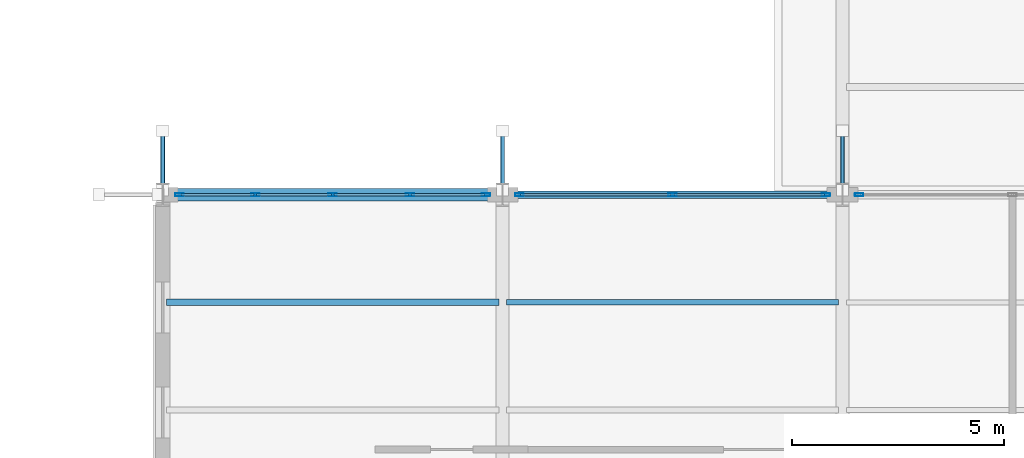
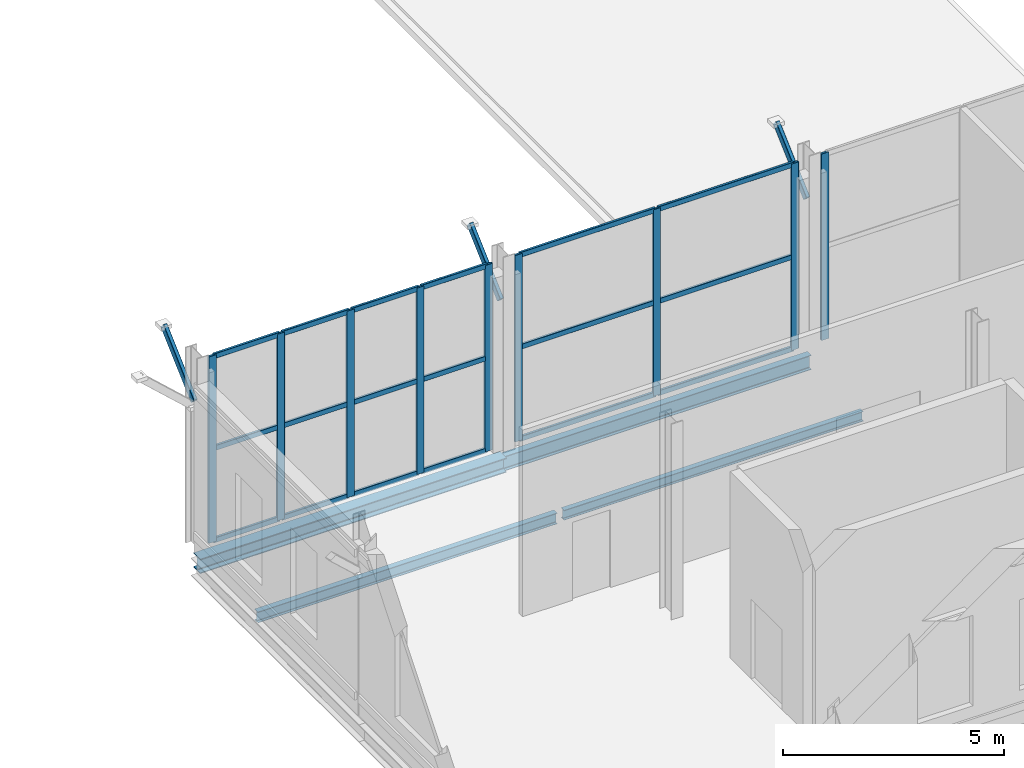
# One storey, part 28 of 147: 30 members, 4 beams, 3 elements without a shape of their own.
"""IFC4 building model written with IfcOpenShell, lengths in metres."""

from ifc_helpers import new_model, si_unit, direction, frame, origin, origin_2d, place, context, subcontext, project, spatial, hollow_rectangle, i_section, extrude, material, layer, layer_set, material_profile, profile_set, type_object, element, aggregate, save


model = new_model("IFC4")

# Units and contexts
model_context = context("Model", 3, precision=1e-05, world=origin(), true_north=direction((0.0, 1.0)))
body_context = subcontext(model_context, "Body", "Model", "MODEL_VIEW")
ifc_project = project(units=[si_unit("LENGTHUNIT", "METRE"), si_unit("AREAUNIT", "SQUARE_METRE"), si_unit("VOLUMEUNIT", "CUBIC_METRE"), si_unit("PLANEANGLEUNIT", "RADIAN"), si_unit("MASSUNIT", "GRAM", prefix="KILO")], contexts=[model_context])

# Site, building, storey
site_placement = place(None, origin())
site = spatial("IfcSite", under=ifc_project, at=site_placement, CompositionType="ELEMENT")
building_placement = place(site_placement, origin())
building = spatial("IfcBuilding", under=site, at=building_placement, Name="Vekula Escarpment Museum", CompositionType="ELEMENT")
storey_placement = place(building_placement, frame((0.0, 0.0, 7.800048828125)))
storey = spatial("IfcBuildingStorey", under=building, at=storey_placement, Name="L02", CompositionType="ELEMENT", Elevation=7.800048828125)

# Beams
ifc_material_1 = material(Name="Steel S355", Category="steel")
ifc_material_profile_1 = material_profile(ifc_material_1, i_section(OverallWidth=0.300048828125, OverallDepth=0.39990234375, WebThickness=0.013427734375, FlangeThickness=0.02392578125, FilletRadius=0.027099609375, at=origin_2d()), Name="HEB 400")
ifc_profile_set_1 = profile_set([ifc_material_profile_1], Name="Steel S355")
beam_type_1 = type_object("IfcBeamType", Name="BM-GIRD-HEB400", PredefinedType="BEAM", material=ifc_profile_set_1)
beam_1_placement = place(storey_placement, frame((78.0, 15.199951171875, -0.4599609375), z_axis=(1.0, 0.0, 0.0), x_axis=(0.0, 1.0, 0.0)))
element("IfcBeam", 1, at=beam_1_placement, inside=storey, type_object=beam_type_1, Name="Beam X L02 0817", PredefinedType="BEAM", context=body_context, shape_type="SweptSolid", body=[
    extrude(i_section(OverallWidth=0.300048828125, OverallDepth=0.39990234375, WebThickness=0.013427734375, FlangeThickness=0.02392578125, FilletRadius=0.027099609375, at=origin_2d()), origin(), (0.0, 0.0, 1.0), 8.0),
])
ifc_material_2 = material(Name="Steel S355", Category="steel")
ifc_material_profile_2 = material_profile(ifc_material_2, i_section(OverallWidth=0.179931640625, OverallDepth=0.39990234375, WebThickness=0.008544921875, FlangeThickness=0.013427734375, FilletRadius=0.02099609375, at=origin_2d()), Name="IPE 400")
ifc_profile_set_2 = profile_set([ifc_material_profile_2], Name="Steel S355")
beam_type_2 = type_object("IfcBeamType", Name="BM-GIRD-IPE400", PredefinedType="BEAM", material=ifc_profile_set_2)
beam_2_placement = place(storey_placement, frame((86.0, 15.199951171875, -0.4599609375), z_axis=(1.0, 0.0, 0.0), x_axis=(0.0, 1.0, 0.0)))
element("IfcBeam", 2, at=beam_2_placement, inside=storey, type_object=beam_type_2, Name="Beam X L02 0818", PredefinedType="BEAM", context=body_context, shape_type="SweptSolid", body=[
    extrude(i_section(OverallWidth=0.179931640625, OverallDepth=0.39990234375, WebThickness=0.008544921875, FlangeThickness=0.013427734375, FilletRadius=0.02099609375, at=origin_2d()), origin(), (0.0, 0.0, 1.0), 8.0),
])
ifc_material_3 = material(Name="Steel S355", Category="steel")
ifc_material_profile_3 = material_profile(ifc_material_3, i_section(OverallWidth=0.135009765625, OverallDepth=0.27001953125, WebThickness=0.006591796875, FlangeThickness=0.01025390625, FilletRadius=0.014892578125, at=origin_2d()), Name="IPE 270")
ifc_profile_set_3 = profile_set([ifc_material_profile_3], Name="Steel S355")
beam_type_3 = type_object("IfcBeamType", Name="BM-JST-IPE270", PredefinedType="JOIST", material=ifc_profile_set_3)
beam_3_placement = place(storey_placement, frame((86.090087890625, 12.666748046875, -0.39501953125), z_axis=(1.0, 0.0, 0.0), x_axis=(0.0, 1.0, 0.0)))
element("IfcBeam", 3, at=beam_3_placement, inside=storey, type_object=beam_type_3, Name="Secondary Joist L02 0756", PredefinedType="JOIST", context=body_context, shape_type="SweptSolid", body=[
    extrude(i_section(OverallWidth=0.135009765625, OverallDepth=0.27001953125, WebThickness=0.006591796875, FlangeThickness=0.01025390625, FilletRadius=0.014892578125, at=origin_2d()), origin(), (0.0, 0.0, 1.0), 7.81982421875),
])
ifc_material_4 = material(Name="Steel S355", Category="steel")
ifc_material_profile_4 = material_profile(ifc_material_4, i_section(OverallWidth=0.14990234375, OverallDepth=0.300048828125, WebThickness=0.007080078125, FlangeThickness=0.0107421875, FilletRadius=0.014892578125, at=origin_2d()), Name="IPE 300")
ifc_profile_set_4 = profile_set([ifc_material_profile_4], Name="Steel S355")
beam_type_4 = type_object("IfcBeamType", Name="BM-JST-IPE300", PredefinedType="JOIST", material=ifc_profile_set_4)
beam_4_placement = place(storey_placement, frame((78.090087890625, 12.666748046875, -0.41015625), z_axis=(1.0, 0.0, 0.0), x_axis=(0.0, 1.0, 0.0)))
element("IfcBeam", 4, at=beam_4_placement, inside=storey, type_object=beam_type_4, Name="Secondary Joist L02 0742", PredefinedType="JOIST", context=body_context, shape_type="SweptSolid", body=[
    extrude(i_section(OverallWidth=0.14990234375, OverallDepth=0.300048828125, WebThickness=0.007080078125, FlangeThickness=0.0107421875, FilletRadius=0.014892578125, at=origin_2d()), origin(), (0.0, 0.0, 1.0), 7.81982421875),
])

# Curtain wall, member
ifc_material_5 = material(Name="Aluminium thermally broken framing", Category="aluminium")
ifc_layer_1 = layer(ifc_material_5, 0.179931640625)
ifc_layer_set_1 = layer_set([ifc_layer_1], Name="Aluminium thermally broken framing")
curtain_wall_type_1 = type_object("IfcCurtainWallType", Name="CW-SYS-07", PredefinedType="NOTDEFINED", material=ifc_layer_set_1)
curtain_wall_1_placement = place(storey_placement, origin())
curtain_wall_1 = element("IfcCurtainWall", 5, at=curtain_wall_1_placement, inside=storey, type_object=curtain_wall_type_1, Name="Curtain Wall CW-L02-097", PredefinedType="NOTDEFINED")
ifc_material_6 = material(Name="Aluminium anodized mullion", Category="aluminium")
ifc_material_profile_5 = material_profile(ifc_material_6, hollow_rectangle(XDim=0.06494140625, YDim=0.199951171875, WallThickness=0.00390625, InnerFilletRadius=0.00390625, OuterFilletRadius=0.008056640625, at=origin_2d()), Name="ALU 200x65x4")
ifc_profile_set_5 = profile_set([ifc_material_profile_5], Name="Aluminium anodized mullion")
member_type_1 = type_object("IfcMemberType", Name="CW-MUL-200", PredefinedType="MULLION", material=ifc_profile_set_5)
member_1_placement = place(storey_placement, frame((94.392578125, 15.199951171875, 0.0), z_axis=(0.0, 0.0, 1.0), x_axis=(0.0, -1.0, 0.0)))
member_1 = element("IfcMember", 6, at=member_1_placement, type_object=member_type_1, Name="CW-07 mullion 3", PredefinedType="MULLION", context=body_context, shape_type="SweptSolid", body=[
    extrude(hollow_rectangle(XDim=0.06494140625, YDim=0.199951171875, WallThickness=0.00390625, InnerFilletRadius=0.00390625, OuterFilletRadius=0.008056640625, at=origin_2d()), origin(), (0.0, 0.0, 1.0), 5.14990234375),
])
aggregate(curtain_wall_1, [member_1])

# Curtain wall, members
ifc_material_7 = material(Name="Aluminium thermally broken framing", Category="aluminium")
ifc_layer_2 = layer(ifc_material_7, 0.179931640625)
ifc_layer_set_2 = layer_set([ifc_layer_2], Name="Aluminium thermally broken framing")
curtain_wall_type_2 = type_object("IfcCurtainWallType", Name="CW-SYS-08", PredefinedType="NOTDEFINED", material=ifc_layer_set_2)
curtain_wall_2_placement = place(storey_placement, origin())
curtain_wall_2 = element("IfcCurtainWall", 7, at=curtain_wall_2_placement, inside=storey, type_object=curtain_wall_type_2, Name="Curtain Wall CW-L02-098", PredefinedType="NOTDEFINED")
member_2_placement = place(storey_placement, frame((93.607421875, 15.199951171875, 0.0), z_axis=(0.0, 0.0, 1.0), x_axis=(0.0, -1.0, 0.0)))
member_2 = element("IfcMember", 8, at=member_2_placement, type_object=member_type_1, Name="CW-08 mullion 1", PredefinedType="MULLION", context=body_context, shape_type="SweptSolid", body=[
    extrude(hollow_rectangle(XDim=0.06494140625, YDim=0.199951171875, WallThickness=0.00390625, InnerFilletRadius=0.00390625, OuterFilletRadius=0.008056640625, at=origin_2d()), origin(), (0.0, 0.0, 1.0), 5.14990234375),
])
member_3_placement = place(storey_placement, frame((90.0, 15.199951171875, 0.0), z_axis=(0.0, 0.0, 1.0), x_axis=(0.0, -1.0, 0.0)))
member_3 = element("IfcMember", 9, at=member_3_placement, type_object=member_type_1, Name="CW-08 mullion 2", PredefinedType="MULLION", context=body_context, shape_type="SweptSolid", body=[
    extrude(hollow_rectangle(XDim=0.06494140625, YDim=0.199951171875, WallThickness=0.00390625, InnerFilletRadius=0.00390625, OuterFilletRadius=0.008056640625, at=origin_2d()), origin(), (0.0, 0.0, 1.0), 5.14990234375),
])
member_4_placement = place(storey_placement, frame((86.392578125, 15.199951171875, 0.0), z_axis=(0.0, 0.0, 1.0), x_axis=(0.0, -1.0, 0.0)))
member_4 = element("IfcMember", 10, at=member_4_placement, type_object=member_type_1, Name="CW-08 mullion 3", PredefinedType="MULLION", context=body_context, shape_type="SweptSolid", body=[
    extrude(hollow_rectangle(XDim=0.06494140625, YDim=0.199951171875, WallThickness=0.00390625, InnerFilletRadius=0.00390625, OuterFilletRadius=0.008056640625, at=origin_2d()), origin(), (0.0, 0.0, 1.0), 5.14990234375),
])

ifc_material_8 = material(Name="Aluminium thermally broken framing", Category="aluminium")
ifc_layer_3 = layer(ifc_material_8, 0.14990234375)
ifc_layer_set_3 = layer_set([ifc_layer_3], Name="Aluminium thermally broken framing")
curtain_wall_type_3 = type_object("IfcCurtainWallType", Name="CW-SYS-09", PredefinedType="NOTDEFINED", material=ifc_layer_set_3)
curtain_wall_3_placement = place(storey_placement, origin())
curtain_wall_3 = element("IfcCurtainWall", 11, at=curtain_wall_3_placement, inside=storey, type_object=curtain_wall_type_3, Name="Curtain Wall CW-L02-099", PredefinedType="NOTDEFINED")
member_5_placement = place(storey_placement, frame((85.607421875, 15.199951171875, 0.0), z_axis=(0.0, 0.0, 1.0), x_axis=(0.0, -1.0, 0.0)))
member_5 = element("IfcMember", 12, at=member_5_placement, type_object=member_type_1, Name="CW-09 mullion 1", PredefinedType="MULLION", context=body_context, shape_type="SweptSolid", body=[
    extrude(hollow_rectangle(XDim=0.06494140625, YDim=0.199951171875, WallThickness=0.00390625, InnerFilletRadius=0.00390625, OuterFilletRadius=0.008056640625, at=origin_2d()), origin(), (0.0, 0.0, 1.0), 5.14990234375),
])
member_6_placement = place(storey_placement, frame((83.820068359375, 15.199951171875, 0.0), z_axis=(0.0, 0.0, 1.0), x_axis=(0.0, -1.0, 0.0)))
member_6 = element("IfcMember", 13, at=member_6_placement, type_object=member_type_1, Name="CW-09 mullion 2", PredefinedType="MULLION", context=body_context, shape_type="SweptSolid", body=[
    extrude(hollow_rectangle(XDim=0.06494140625, YDim=0.199951171875, WallThickness=0.00390625, InnerFilletRadius=0.00390625, OuterFilletRadius=0.008056640625, at=origin_2d()), origin(), (0.0, 0.0, 1.0), 5.14990234375),
])
member_7_placement = place(storey_placement, frame((82.0, 15.199951171875, 0.0), z_axis=(0.0, 0.0, 1.0), x_axis=(0.0, -1.0, 0.0)))
member_7 = element("IfcMember", 14, at=member_7_placement, type_object=member_type_1, Name="CW-09 mullion 3", PredefinedType="MULLION", context=body_context, shape_type="SweptSolid", body=[
    extrude(hollow_rectangle(XDim=0.06494140625, YDim=0.199951171875, WallThickness=0.00390625, InnerFilletRadius=0.00390625, OuterFilletRadius=0.008056640625, at=origin_2d()), origin(), (0.0, 0.0, 1.0), 5.14990234375),
])
member_8_placement = place(storey_placement, frame((80.179931640625, 15.199951171875, 0.0), z_axis=(0.0, 0.0, 1.0), x_axis=(0.0, -1.0, 0.0)))
member_8 = element("IfcMember", 15, at=member_8_placement, type_object=member_type_1, Name="CW-09 mullion 4", PredefinedType="MULLION", context=body_context, shape_type="SweptSolid", body=[
    extrude(hollow_rectangle(XDim=0.06494140625, YDim=0.199951171875, WallThickness=0.00390625, InnerFilletRadius=0.00390625, OuterFilletRadius=0.008056640625, at=origin_2d()), origin(), (0.0, 0.0, 1.0), 5.14990234375),
])
member_9_placement = place(storey_placement, frame((78.392578125, 15.199951171875, 0.0), z_axis=(0.0, 0.0, 1.0), x_axis=(0.0, -1.0, 0.0)))
member_9 = element("IfcMember", 16, at=member_9_placement, type_object=member_type_1, Name="CW-09 mullion 5", PredefinedType="MULLION", context=body_context, shape_type="SweptSolid", body=[
    extrude(hollow_rectangle(XDim=0.06494140625, YDim=0.199951171875, WallThickness=0.00390625, InnerFilletRadius=0.00390625, OuterFilletRadius=0.008056640625, at=origin_2d()), origin(), (0.0, 0.0, 1.0), 5.14990234375),
])

# Member
ifc_material_9 = material(Name="Aluminium anodized transom", Category="aluminium")
ifc_material_profile_6 = material_profile(ifc_material_9, hollow_rectangle(XDim=0.06494140625, YDim=0.139892578125, WallThickness=0.00390625, InnerFilletRadius=0.00390625, OuterFilletRadius=0.008056640625, at=origin_2d()), Name="ALU 140x65x4")
ifc_profile_set_6 = profile_set([ifc_material_profile_6], Name="Aluminium anodized transom")
member_type_2 = type_object("IfcMemberType", Name="CW-TRN-140", PredefinedType="USERDEFINED", material=ifc_profile_set_6)
member_10_placement = place(storey_placement, frame((93.574951171875, 15.199951171875, 0.032470703125), z_axis=(-1.0, 0.0, 0.0), x_axis=(0.0, -1.0, 0.0)))
member_10 = element("IfcMember", 17, at=member_10_placement, type_object=member_type_2, Name="CW-08 transom 1.1", ObjectType="TRANSOM", PredefinedType="USERDEFINED", context=body_context, shape_type="SweptSolid", body=[
    extrude(hollow_rectangle(XDim=0.06494140625, YDim=0.139892578125, WallThickness=0.00390625, InnerFilletRadius=0.00390625, OuterFilletRadius=0.008056640625, at=origin_2d()), origin(), (0.0, 0.0, 1.0), 3.54248046875),
])

member_11_placement = place(storey_placement, frame((93.574951171875, 15.199951171875, 2.574951171875), z_axis=(-1.0, 0.0, 0.0), x_axis=(0.0, -1.0, 0.0)))
member_11 = element("IfcMember", 18, at=member_11_placement, type_object=member_type_2, Name="CW-08 transom 1.2", ObjectType="TRANSOM", PredefinedType="USERDEFINED", context=body_context, shape_type="SweptSolid", body=[
    extrude(hollow_rectangle(XDim=0.06494140625, YDim=0.139892578125, WallThickness=0.00390625, InnerFilletRadius=0.00390625, OuterFilletRadius=0.008056640625, at=origin_2d()), origin(), (0.0, 0.0, 1.0), 3.54248046875),
])

member_12_placement = place(storey_placement, frame((93.574951171875, 15.199951171875, 5.117431640625), z_axis=(-1.0, 0.0, 0.0), x_axis=(0.0, -1.0, 0.0)))
member_12 = element("IfcMember", 19, at=member_12_placement, type_object=member_type_2, Name="CW-08 transom 1.3", ObjectType="TRANSOM", PredefinedType="USERDEFINED", context=body_context, shape_type="SweptSolid", body=[
    extrude(hollow_rectangle(XDim=0.06494140625, YDim=0.139892578125, WallThickness=0.00390625, InnerFilletRadius=0.00390625, OuterFilletRadius=0.008056640625, at=origin_2d()), origin(), (0.0, 0.0, 1.0), 3.54248046875),
])

member_13_placement = place(storey_placement, frame((89.967529296875, 15.199951171875, 0.032470703125), z_axis=(-1.0, 0.0, 0.0), x_axis=(0.0, -1.0, 0.0)))
member_13 = element("IfcMember", 20, at=member_13_placement, type_object=member_type_2, Name="CW-08 transom 2.1", ObjectType="TRANSOM", PredefinedType="USERDEFINED", context=body_context, shape_type="SweptSolid", body=[
    extrude(hollow_rectangle(XDim=0.06494140625, YDim=0.139892578125, WallThickness=0.00390625, InnerFilletRadius=0.00390625, OuterFilletRadius=0.008056640625, at=origin_2d()), origin(), (0.0, 0.0, 1.0), 3.54248046875),
])

member_14_placement = place(storey_placement, frame((89.967529296875, 15.199951171875, 2.574951171875), z_axis=(-1.0, 0.0, 0.0), x_axis=(0.0, -1.0, 0.0)))
member_14 = element("IfcMember", 21, at=member_14_placement, type_object=member_type_2, Name="CW-08 transom 2.2", ObjectType="TRANSOM", PredefinedType="USERDEFINED", context=body_context, shape_type="SweptSolid", body=[
    extrude(hollow_rectangle(XDim=0.06494140625, YDim=0.139892578125, WallThickness=0.00390625, InnerFilletRadius=0.00390625, OuterFilletRadius=0.008056640625, at=origin_2d()), origin(), (0.0, 0.0, 1.0), 3.54248046875),
])

member_15_placement = place(storey_placement, frame((89.967529296875, 15.199951171875, 5.117431640625), z_axis=(-1.0, 0.0, 0.0), x_axis=(0.0, -1.0, 0.0)))
member_15 = element("IfcMember", 22, at=member_15_placement, type_object=member_type_2, Name="CW-08 transom 2.3", ObjectType="TRANSOM", PredefinedType="USERDEFINED", context=body_context, shape_type="SweptSolid", body=[
    extrude(hollow_rectangle(XDim=0.06494140625, YDim=0.139892578125, WallThickness=0.00390625, InnerFilletRadius=0.00390625, OuterFilletRadius=0.008056640625, at=origin_2d()), origin(), (0.0, 0.0, 1.0), 3.54248046875),
])

aggregate(curtain_wall_2, [member_2, member_3, member_4, member_10, member_11, member_12, member_13, member_14, member_15])

member_16_placement = place(storey_placement, frame((85.574951171875, 15.199951171875, 0.032470703125), z_axis=(-1.0, 0.0, 0.0), x_axis=(0.0, -1.0, 0.0)))
member_16 = element("IfcMember", 23, at=member_16_placement, type_object=member_type_2, Name="CW-09 transom 1.1", ObjectType="TRANSOM", PredefinedType="USERDEFINED", context=body_context, shape_type="SweptSolid", body=[
    extrude(hollow_rectangle(XDim=0.06494140625, YDim=0.139892578125, WallThickness=0.00390625, InnerFilletRadius=0.00390625, OuterFilletRadius=0.008056640625, at=origin_2d()), origin(), (0.0, 0.0, 1.0), 1.722412109375),
])

member_17_placement = place(storey_placement, frame((85.574951171875, 15.199951171875, 2.574951171875), z_axis=(-1.0, 0.0, 0.0), x_axis=(0.0, -1.0, 0.0)))
member_17 = element("IfcMember", 24, at=member_17_placement, type_object=member_type_2, Name="CW-09 transom 1.2", ObjectType="TRANSOM", PredefinedType="USERDEFINED", context=body_context, shape_type="SweptSolid", body=[
    extrude(hollow_rectangle(XDim=0.06494140625, YDim=0.139892578125, WallThickness=0.00390625, InnerFilletRadius=0.00390625, OuterFilletRadius=0.008056640625, at=origin_2d()), origin(), (0.0, 0.0, 1.0), 1.722412109375),
])

member_18_placement = place(storey_placement, frame((85.574951171875, 15.199951171875, 5.117431640625), z_axis=(-1.0, 0.0, 0.0), x_axis=(0.0, -1.0, 0.0)))
member_18 = element("IfcMember", 25, at=member_18_placement, type_object=member_type_2, Name="CW-09 transom 1.3", ObjectType="TRANSOM", PredefinedType="USERDEFINED", context=body_context, shape_type="SweptSolid", body=[
    extrude(hollow_rectangle(XDim=0.06494140625, YDim=0.139892578125, WallThickness=0.00390625, InnerFilletRadius=0.00390625, OuterFilletRadius=0.008056640625, at=origin_2d()), origin(), (0.0, 0.0, 1.0), 1.722412109375),
])

member_19_placement = place(storey_placement, frame((83.78759765625, 15.199951171875, 0.032470703125), z_axis=(-1.0, 0.0, 0.0), x_axis=(0.0, -1.0, 0.0)))
member_19 = element("IfcMember", 26, at=member_19_placement, type_object=member_type_2, Name="CW-09 transom 2.1", ObjectType="TRANSOM", PredefinedType="USERDEFINED", context=body_context, shape_type="SweptSolid", body=[
    extrude(hollow_rectangle(XDim=0.06494140625, YDim=0.139892578125, WallThickness=0.00390625, InnerFilletRadius=0.00390625, OuterFilletRadius=0.008056640625, at=origin_2d()), origin(), (0.0, 0.0, 1.0), 1.755126953125),
])

member_20_placement = place(storey_placement, frame((83.78759765625, 15.199951171875, 2.574951171875), z_axis=(-1.0, 0.0, 0.0), x_axis=(0.0, -1.0, 0.0)))
member_20 = element("IfcMember", 27, at=member_20_placement, type_object=member_type_2, Name="CW-09 transom 2.2", ObjectType="TRANSOM", PredefinedType="USERDEFINED", context=body_context, shape_type="SweptSolid", body=[
    extrude(hollow_rectangle(XDim=0.06494140625, YDim=0.139892578125, WallThickness=0.00390625, InnerFilletRadius=0.00390625, OuterFilletRadius=0.008056640625, at=origin_2d()), origin(), (0.0, 0.0, 1.0), 1.755126953125),
])

member_21_placement = place(storey_placement, frame((83.78759765625, 15.199951171875, 5.117431640625), z_axis=(-1.0, 0.0, 0.0), x_axis=(0.0, -1.0, 0.0)))
member_21 = element("IfcMember", 28, at=member_21_placement, type_object=member_type_2, Name="CW-09 transom 2.3", ObjectType="TRANSOM", PredefinedType="USERDEFINED", context=body_context, shape_type="SweptSolid", body=[
    extrude(hollow_rectangle(XDim=0.06494140625, YDim=0.139892578125, WallThickness=0.00390625, InnerFilletRadius=0.00390625, OuterFilletRadius=0.008056640625, at=origin_2d()), origin(), (0.0, 0.0, 1.0), 1.755126953125),
])

member_22_placement = place(storey_placement, frame((81.967529296875, 15.199951171875, 0.032470703125), z_axis=(-1.0, 0.0, 0.0), x_axis=(0.0, -1.0, 0.0)))
member_22 = element("IfcMember", 29, at=member_22_placement, type_object=member_type_2, Name="CW-09 transom 3.1", ObjectType="TRANSOM", PredefinedType="USERDEFINED", context=body_context, shape_type="SweptSolid", body=[
    extrude(hollow_rectangle(XDim=0.06494140625, YDim=0.139892578125, WallThickness=0.00390625, InnerFilletRadius=0.00390625, OuterFilletRadius=0.008056640625, at=origin_2d()), origin(), (0.0, 0.0, 1.0), 1.755126953125),
])

member_23_placement = place(storey_placement, frame((81.967529296875, 15.199951171875, 2.574951171875), z_axis=(-1.0, 0.0, 0.0), x_axis=(0.0, -1.0, 0.0)))
member_23 = element("IfcMember", 30, at=member_23_placement, type_object=member_type_2, Name="CW-09 transom 3.2", ObjectType="TRANSOM", PredefinedType="USERDEFINED", context=body_context, shape_type="SweptSolid", body=[
    extrude(hollow_rectangle(XDim=0.06494140625, YDim=0.139892578125, WallThickness=0.00390625, InnerFilletRadius=0.00390625, OuterFilletRadius=0.008056640625, at=origin_2d()), origin(), (0.0, 0.0, 1.0), 1.755126953125),
])

member_24_placement = place(storey_placement, frame((81.967529296875, 15.199951171875, 5.117431640625), z_axis=(-1.0, 0.0, 0.0), x_axis=(0.0, -1.0, 0.0)))
member_24 = element("IfcMember", 31, at=member_24_placement, type_object=member_type_2, Name="CW-09 transom 3.3", ObjectType="TRANSOM", PredefinedType="USERDEFINED", context=body_context, shape_type="SweptSolid", body=[
    extrude(hollow_rectangle(XDim=0.06494140625, YDim=0.139892578125, WallThickness=0.00390625, InnerFilletRadius=0.00390625, OuterFilletRadius=0.008056640625, at=origin_2d()), origin(), (0.0, 0.0, 1.0), 1.755126953125),
])

member_25_placement = place(storey_placement, frame((80.1474609375, 15.199951171875, 0.032470703125), z_axis=(-1.0, 0.0, 0.0), x_axis=(0.0, -1.0, 0.0)))
member_25 = element("IfcMember", 32, at=member_25_placement, type_object=member_type_2, Name="CW-09 transom 4.1", ObjectType="TRANSOM", PredefinedType="USERDEFINED", context=body_context, shape_type="SweptSolid", body=[
    extrude(hollow_rectangle(XDim=0.06494140625, YDim=0.139892578125, WallThickness=0.00390625, InnerFilletRadius=0.00390625, OuterFilletRadius=0.008056640625, at=origin_2d()), origin(), (0.0, 0.0, 1.0), 1.722412109375),
])

member_26_placement = place(storey_placement, frame((80.1474609375, 15.199951171875, 2.574951171875), z_axis=(-1.0, 0.0, 0.0), x_axis=(0.0, -1.0, 0.0)))
member_26 = element("IfcMember", 33, at=member_26_placement, type_object=member_type_2, Name="CW-09 transom 4.2", ObjectType="TRANSOM", PredefinedType="USERDEFINED", context=body_context, shape_type="SweptSolid", body=[
    extrude(hollow_rectangle(XDim=0.06494140625, YDim=0.139892578125, WallThickness=0.00390625, InnerFilletRadius=0.00390625, OuterFilletRadius=0.008056640625, at=origin_2d()), origin(), (0.0, 0.0, 1.0), 1.722412109375),
])

member_27_placement = place(storey_placement, frame((80.1474609375, 15.199951171875, 5.117431640625), z_axis=(-1.0, 0.0, 0.0), x_axis=(0.0, -1.0, 0.0)))
member_27 = element("IfcMember", 34, at=member_27_placement, type_object=member_type_2, Name="CW-09 transom 4.3", ObjectType="TRANSOM", PredefinedType="USERDEFINED", context=body_context, shape_type="SweptSolid", body=[
    extrude(hollow_rectangle(XDim=0.06494140625, YDim=0.139892578125, WallThickness=0.00390625, InnerFilletRadius=0.00390625, OuterFilletRadius=0.008056640625, at=origin_2d()), origin(), (0.0, 0.0, 1.0), 1.722412109375),
])

aggregate(curtain_wall_3, [member_5, member_6, member_7, member_8, member_9, member_16, member_17, member_18, member_19, member_20, member_21, member_22, member_23, member_24, member_25, member_26, member_27])

# Members
ifc_material_10 = material(Name="Steel S355", Category="steel")
ifc_material_profile_7 = material_profile(ifc_material_10, hollow_rectangle(XDim=0.10009765625, YDim=0.199951171875, WallThickness=0.008056640625, InnerFilletRadius=0.008056640625, OuterFilletRadius=0.01611328125, at=origin_2d()), Name="RHS 200x100x8")
ifc_profile_set_7 = profile_set([ifc_material_profile_7], Name="Steel S355")
member_type_3 = type_object("IfcMemberType", Name="MB-SACAK-BRK", PredefinedType="STRUT", material=ifc_profile_set_7)
for number, where, z_axis, x_axis, name in (
    (35, (78.0, 15.320068359375, 3.949951171875), (0.0, 0.738454378718, 0.674303441006), (-1.0, 0.0, 0.0), "Ottoman Sacak Eave Bracket L03-0048"),
    (36, (86.0, 15.320068359375, 3.949951171875), (0.0, 0.738454378718, 0.674303441006), (-1.0, 0.0, 0.0), "Ottoman Sacak Eave Bracket L03-0055"),
    (37, (94.0, 15.320068359375, 3.949951171875), (0.0, 0.738454378718, 0.674303441006), (-1.0, 0.0, 0.0), "Ottoman Sacak Eave Bracket L03-0059"),
):
    element("IfcMember", number, at=place(storey_placement, frame(where, z_axis=z_axis, x_axis=x_axis)), inside=storey, type_object=member_type_3, Name=name, PredefinedType="STRUT", context=body_context, shape_type="SweptSolid", body=[
        extrude(hollow_rectangle(XDim=0.10009765625, YDim=0.199951171875, WallThickness=0.008056640625, InnerFilletRadius=0.008056640625, OuterFilletRadius=0.01611328125, at=origin_2d()), origin(), (0.0, 0.0, 1.0), 1.86865234375),
    ])

save(model, "model.ifc")
